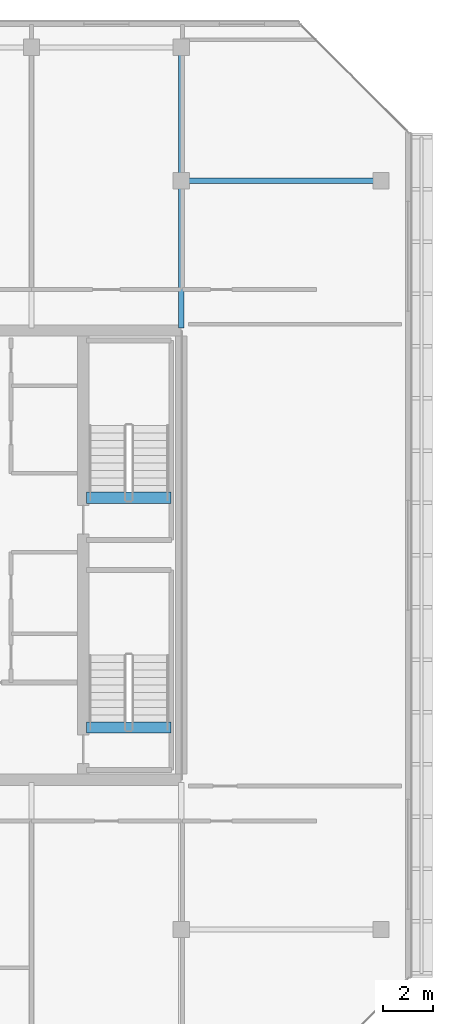
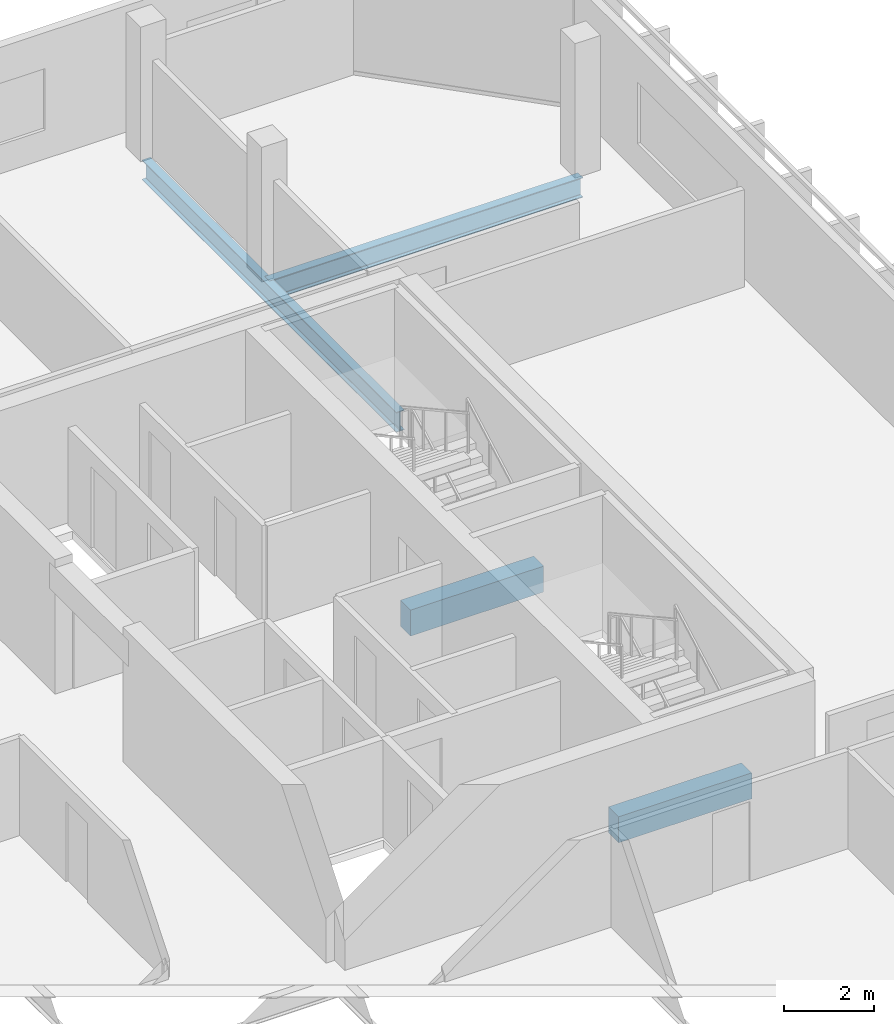
# One storey, part 17 of 28: 4 beams.
"""IFC4 building model written with IfcOpenShell, lengths in metres."""

from ifc_helpers import new_model, si_unit, direction, frame, origin, origin_2d, place, context, subcontext, project, spatial, rectangle, i_section, extrude, material, material_profile, profile_set, type_object, element, save


model = new_model("IFC4")

# Units and contexts
model_context = context("Model", 3, precision=1e-05, world=origin(), true_north=direction((0.0, 1.0)))
body_context = subcontext(model_context, "Body", "Model", "MODEL_VIEW")
ifc_project = project(units=[si_unit("LENGTHUNIT", "METRE"), si_unit("AREAUNIT", "SQUARE_METRE"), si_unit("VOLUMEUNIT", "CUBIC_METRE"), si_unit("PLANEANGLEUNIT", "RADIAN"), si_unit("MASSUNIT", "GRAM", prefix="KILO")], contexts=[model_context])

# Site, building, storey
site_placement = place(None, origin())
site = spatial("IfcSite", under=ifc_project, at=site_placement, CompositionType="ELEMENT")
building_placement = place(site_placement, origin())
building = spatial("IfcBuilding", under=site, at=building_placement, Name="Tanjung Sevakor Pilgrim Tower", CompositionType="ELEMENT")
storey_placement = place(building_placement, frame((0.0, 0.0, 246.179931640625)))
storey = spatial("IfcBuildingStorey", under=building, at=storey_placement, Name="L69", CompositionType="ELEMENT", Elevation=246.179931640625)

# Beams
ifc_material_1 = material(Name="Steel S355J2", Category="steel")
ifc_material_profile_1 = material_profile(ifc_material_1, i_section(OverallWidth=0.2119140625, OverallDepth=0.54443359375, WebThickness=0.0126953125, FlangeThickness=0.021240234375, FilletRadius=0.0126953125, at=origin_2d()))
ifc_profile_set_1 = profile_set([ifc_material_profile_1], Name="Steel S355J2")
beam_type_1 = type_object("IfcBeamType", Name="BM-B-G5-UB_533x210x122", PredefinedType="BEAM", material=ifc_profile_set_1)
beam_1_placement = place(storey_placement, frame((90.0, 48.60009765625, -0.4921875), z_axis=(1.0, 0.0, 0.0), x_axis=(0.0, 1.0, 0.0)))
element("IfcBeam", 1, at=beam_1_placement, inside=storey, type_object=beam_type_1, Name="L69 East Peak Wing Girder Y48.6", PredefinedType="BEAM", context=body_context, shape_type="SweptSolid", body=[
    extrude(i_section(OverallWidth=0.2119140625, OverallDepth=0.54443359375, WebThickness=0.0126953125, FlangeThickness=0.021240234375, FilletRadius=0.0126953125, at=origin_2d()), origin(), (0.0, 0.0, 1.0), 8.0),
])
ifc_material_2 = material(Name="Steel S355J2", Category="steel")
ifc_material_profile_2 = material_profile(ifc_material_2, i_section(OverallWidth=0.210693359375, OverallDepth=0.53955078125, WebThickness=0.01171875, FlangeThickness=0.018798828125, FilletRadius=0.0126953125, at=origin_2d()))
ifc_profile_set_2 = profile_set([ifc_material_profile_2], Name="Steel S355J2")
beam_type_2 = type_object("IfcBeamType", Name="BM-B-G6-UB_533x210x109", PredefinedType="BEAM", material=ifc_profile_set_2)
beam_2_placement = place(storey_placement, frame((90.0, 42.7060546875, -0.48974609375), z_axis=(0.0, 1.0, 0.0), x_axis=(-1.0, 0.0, 0.0)))
element("IfcBeam", 2, at=beam_2_placement, inside=storey, type_object=beam_type_2, Name="L69 EAST Girder 010", PredefinedType="BEAM", context=body_context, shape_type="SweptSolid", body=[
    extrude(i_section(OverallWidth=0.210693359375, OverallDepth=0.53955078125, WebThickness=0.01171875, FlangeThickness=0.018798828125, FilletRadius=0.0126953125, at=origin_2d()), origin(), (0.0, 0.0, 1.0), 11.243896484375),
])
ifc_material_3 = material(Name="Concrete C60/75", Category="concrete")
ifc_material_profile_3 = material_profile(ifc_material_3, rectangle(XDim=0.449951171875, YDim=0.699951171875, at=origin_2d()))
ifc_profile_set_3 = profile_set([ifc_material_profile_3], Name="Concrete C60/75")
beam_type_3 = type_object("IfcBeamType", Name="BM-B-LN3-RC-BM_450x700", PredefinedType="LINTEL", material=ifc_profile_set_3)
for number, where, z_axis, x_axis, name in (
    (3, (86.199951171875, 26.699951171875, -0.349853515625), (1.0, 0.0, 0.0), (0.0, 1.0, 0.0), "L69 TS-E1 Stair Threshold Beam"),
    (4, (86.199951171875, 35.89990234375, -0.349853515625), (1.0, 0.0, 0.0), (0.0, 1.0, 0.0), "L69 TS-E2 Stair Threshold Beam"),
):
    element("IfcBeam", number, at=place(storey_placement, frame(where, z_axis=z_axis, x_axis=x_axis)), inside=storey, type_object=beam_type_3, Name=name, PredefinedType="LINTEL", context=body_context, shape_type="SweptSolid", body=[
        extrude(rectangle(XDim=0.449951171875, YDim=0.699951171875, at=origin_2d()), origin(), (0.0, 0.0, 1.0), 3.400146484375),
    ])

save(model, "model.ifc")
